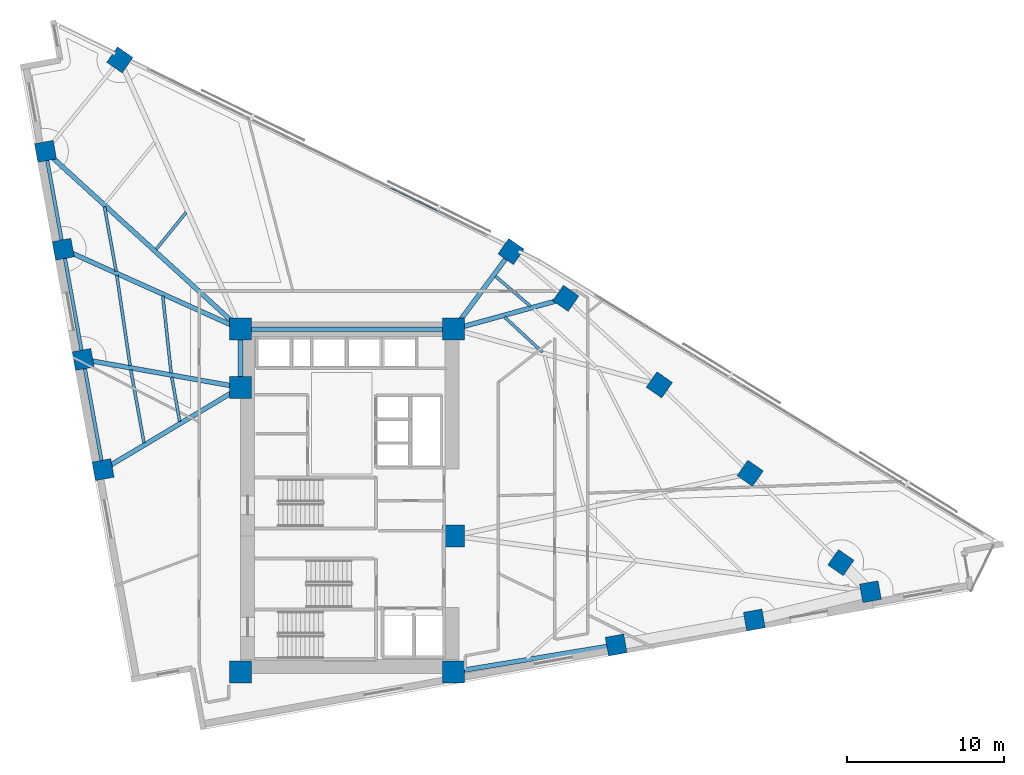
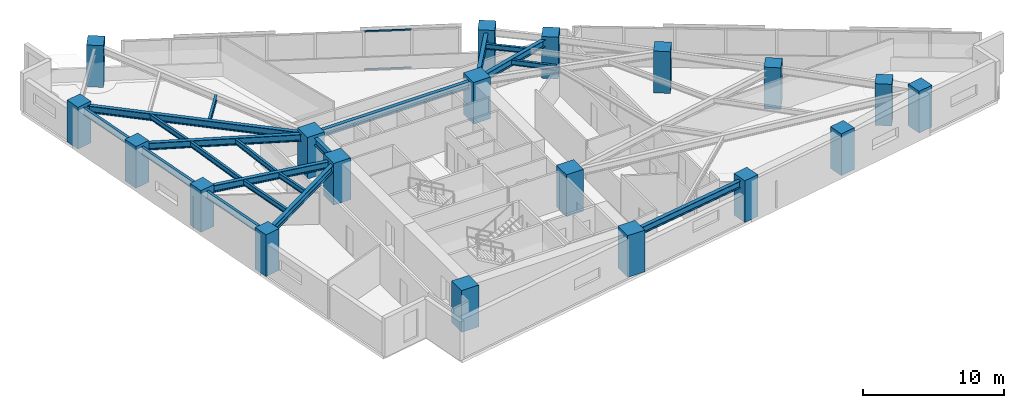
# One storey, part 1 of 19: 20 beams, 19 columns, 2 members, 1 element without a shape of its own.
"""IFC4 building model written with IfcOpenShell, lengths in metres."""

from ifc_helpers import new_model, si_unit, direction, frame, origin, origin_2d, place, context, subcontext, project, spatial, rectangle, hollow_rectangle, i_section, extrude, material, material_profile, profile_set, type_object, element, aggregate, save


model = new_model("IFC4")

# Units and contexts
model_context = context("Model", 3, precision=1e-05, world=origin(), true_north=direction((0.0, 1.0)))
body_context = subcontext(model_context, "Body", "Model", "MODEL_VIEW")
ifc_project = project(units=[si_unit("LENGTHUNIT", "METRE"), si_unit("AREAUNIT", "SQUARE_METRE"), si_unit("VOLUMEUNIT", "CUBIC_METRE"), si_unit("PLANEANGLEUNIT", "RADIAN"), si_unit("MASSUNIT", "GRAM", prefix="KILO")], contexts=[model_context])

# Site, building, storey
site_placement = place(None, origin())
site = spatial("IfcSite", under=ifc_project, at=site_placement, CompositionType="ELEMENT")
building_placement = place(site_placement, origin())
building = spatial("IfcBuilding", under=site, at=building_placement, Name="Narakoshi Arena Tower", CompositionType="ELEMENT")
storey_placement = place(building_placement, frame((0.0, 0.0, 113.699951171875)))
storey = spatial("IfcBuildingStorey", under=building, at=storey_placement, Name="L30", CompositionType="ELEMENT", Elevation=113.699951171875)

# Columns
ifc_material_1 = material(Name="Concrete C60/75", Category="concrete")
ifc_material_profile_1 = material_profile(ifc_material_1, rectangle(XDim=1.199951171875, YDim=1.199951171875, at=origin_2d()), Name="RC1200x1200")
ifc_profile_set_1 = profile_set([ifc_material_profile_1], Name="Concrete C60/75")
column_type_1 = type_object("IfcColumnType", Name="COL-RC1200", PredefinedType="COLUMN", material=ifc_profile_set_1)
for number, where, z_axis, x_axis, name in (
    (1, (95.89013671875, 36.411865234375, 0.0), (0.0, 0.0, 1.0), (0.984040697646, 0.177943545474, 0.0), "L30 Tower Perimeter Column TC02"),
    (2, (104.681396484375, 38.00146484375, 0.0), (0.0, 0.0, 1.0), (0.984040697646, 0.177943545474, 0.0), "L30 Tower Perimeter Column TC03"),
    (3, (112.0703125, 39.7978515625, 0.0), (0.0, 0.0, 1.0), (0.984040697646, 0.177943545474, 0.0), "L30 Tower Perimeter Column TC04"),
    (4, (110.189208984375, 41.650146484375, 0.0), (0.0, 0.0, 1.0), (0.569996762596, 0.821646937942, 0.0), "L30 Tower Perimeter Column TC05"),
    (5, (104.42041015625, 47.33056640625, 0.0), (0.0, 0.0, 1.0), (0.569996762596, 0.821646937942, 0.0), "L30 Tower Perimeter Column TC06"),
    (6, (98.641357421875, 52.95849609375, 0.0), (0.0, 0.0, 1.0), (0.569996762596, 0.821646937942, 0.0), "L30 Tower Perimeter Column TC07"),
    (7, (92.68994140625, 58.462890625, 0.0), (0.0, 0.0, 1.0), (0.569996762596, 0.821646937942, 0.0), "L30 Tower Perimeter Column TC08"),
    (8, (89.206787109375, 61.437744140625, 0.0), (0.0, 0.0, 1.0), (0.569996762596, 0.821646937942, 0.0), "L30 Tower Perimeter Column TC09"),
    (9, (64.31787109375, 73.633056640625, 0.0), (0.0, 0.0, 1.0), (0.569996762596, 0.821646937942, 0.0), "L30 Tower Perimeter Column TC11"),
    (10, (59.593505859375, 67.81591796875, 0.0), (0.0, 0.0, 1.0), (-0.177943545474, 0.984040697646, 0.0), "L30 Tower Perimeter Column TC13"),
    (11, (60.72021484375, 61.585205078125, 0.0), (0.0, 0.0, 1.0), (-0.177943545474, 0.984040697646, 0.0), "L30 Tower Perimeter Column TC14"),
    (12, (61.98779296875, 54.575439453125, 0.0), (0.0, 0.0, 1.0), (-0.177943545474, 0.984040697646, 0.0), "L30 Tower Perimeter Column TC15"),
    (13, (63.25537109375, 47.56591796875, 0.0), (0.0, 0.0, 1.0), (-0.177943545474, 0.984040697646, 0.0), "L30 Tower Perimeter Column TC16"),
):
    element("IfcColumn", number, at=place(storey_placement, frame(where, z_axis=z_axis, x_axis=x_axis)), inside=storey, type_object=column_type_1, Name=name, PredefinedType="COLUMN", context=body_context, shape_type="SweptSolid", body=[
        extrude(rectangle(XDim=1.199951171875, YDim=1.199951171875, at=origin_2d()), origin(), (0.0, 0.0, 1.0), 3.60009765625),
    ])
ifc_material_profile_2 = material_profile(ifc_material_1, rectangle(XDim=1.39990234375, YDim=1.39990234375, at=origin_2d()), Name="RC1400x1400")
ifc_profile_set_2 = profile_set([ifc_material_profile_2], Name="Concrete C60/75")
column_type_2 = type_object("IfcColumnType", Name="COL-RC1400", PredefinedType="COLUMN", material=ifc_profile_set_2)
for number, where, z_axis, x_axis, name in (
    (14, (72.0, 34.699951171875, 0.0), (0.0, 0.0, 1.0), (1.0, 0.0, 0.0), "L30 Core Structural Column CC1"),
    (15, (85.550048828125, 34.699951171875, 0.0), (0.0, 0.0, 1.0), (1.0, 0.0, 0.0), "L30 Core Structural Column CC2"),
    (16, (85.550048828125, 43.35009765625, 0.0), (0.0, 0.0, 1.0), (1.0, 0.0, 0.0), "L30 Core Structural Column CC3"),
    (17, (72.0, 52.800048828125, 0.0), (0.0, 0.0, 1.0), (1.0, 0.0, 0.0), "L30 Core Structural Column CC4"),
    (18, (72.0, 56.5, 0.0), (0.0, 0.0, 1.0), (1.0, 0.0, 0.0), "L30 Core Structural Column CC5"),
    (19, (85.550048828125, 56.5, 0.0), (0.0, 0.0, 1.0), (1.0, 0.0, 0.0), "L30 Core Structural Column CC6"),
):
    element("IfcColumn", number, at=place(storey_placement, frame(where, z_axis=z_axis, x_axis=x_axis)), inside=storey, type_object=column_type_2, Name=name, PredefinedType="COLUMN", context=body_context, shape_type="SweptSolid", body=[
        extrude(rectangle(XDim=1.39990234375, YDim=1.39990234375, at=origin_2d()), origin(), (0.0, 0.0, 1.0), 3.60009765625),
    ])

# Beams
ifc_material_2 = material(Name="Structural steel S355J2", Category="steel")
ifc_material_profile_3 = material_profile(ifc_material_2, i_section(OverallWidth=0.219970703125, OverallDepth=0.60009765625, WebThickness=0.011962890625, FlangeThickness=0.01904296875, FilletRadius=0.02392578125, at=origin_2d()), Name="IPE600")
ifc_profile_set_3 = profile_set([ifc_material_profile_3], Name="Structural steel S355J2")
beam_type_1 = type_object("IfcBeamType", Name="BM-EDGE-600", PredefinedType="BEAM", material=ifc_profile_set_3)
beam_1_placement = place(storey_placement, frame((59.593505859375, 67.81591796875, 3.0400390625), z_axis=(0.177945465207, -0.9840403505, 0.0), x_axis=(0.9840403505, 0.177945465207, 0.0)))
element("IfcBeam", 20, at=beam_1_placement, inside=storey, type_object=beam_type_1, Name="L30 Perimeter Edge Girder 10", PredefinedType="BEAM", context=body_context, shape_type="SweptSolid", body=[
    extrude(i_section(OverallWidth=0.219970703125, OverallDepth=0.60009765625, WebThickness=0.011962890625, FlangeThickness=0.01904296875, FilletRadius=0.02392578125, at=origin_2d()), origin(), (0.0, 0.0, 1.0), 6.331787109375),
])
beam_2_placement = place(storey_placement, frame((60.72021484375, 61.585205078125, 3.0400390625), z_axis=(0.177944362466, -0.98404054991, 0.0), x_axis=(0.98404054991, 0.177944362466, 0.0)))
element("IfcBeam", 21, at=beam_2_placement, inside=storey, type_object=beam_type_1, Name="L30 Perimeter Edge Girder 11", PredefinedType="BEAM", context=body_context, shape_type="SweptSolid", body=[
    extrude(i_section(OverallWidth=0.219970703125, OverallDepth=0.60009765625, WebThickness=0.011962890625, FlangeThickness=0.01904296875, FilletRadius=0.02392578125, at=origin_2d()), origin(), (0.0, 0.0, 1.0), 7.12353515625),
])
beam_3_placement = place(storey_placement, frame((61.98779296875, 54.575439453125, 3.0400390625), z_axis=(0.177950363985, -0.984039464634, 0.0), x_axis=(0.984039464634, 0.177950363985, 0.0)))
element("IfcBeam", 22, at=beam_3_placement, inside=storey, type_object=beam_type_1, Name="L30 Perimeter Edge Girder 12", PredefinedType="BEAM", context=body_context, shape_type="SweptSolid", body=[
    extrude(i_section(OverallWidth=0.219970703125, OverallDepth=0.60009765625, WebThickness=0.011962890625, FlangeThickness=0.01904296875, FilletRadius=0.02392578125, at=origin_2d()), origin(), (0.0, 0.0, 1.0), 7.123291015625),
])
ifc_material_profile_4 = material_profile(ifc_material_2, i_section(OverallWidth=0.300048828125, OverallDepth=0.60009765625, WebThickness=0.015380859375, FlangeThickness=0.030029296875, FilletRadius=0.027099609375, at=origin_2d()), Name="HE600B")
ifc_profile_set_4 = profile_set([ifc_material_profile_4], Name="Structural steel S355J2")
beam_type_2 = type_object("IfcBeamType", Name="BM-PRI-600", PredefinedType="BEAM", material=ifc_profile_set_4)
beam_4_placement = place(storey_placement, frame((85.550048828125, 34.699951171875, 3.0400390625), z_axis=(0.986570261116, 0.163337441762, 0.0), x_axis=(-0.163337441762, 0.986570261116, 0.0)))
element("IfcBeam", 23, at=beam_4_placement, inside=storey, type_object=beam_type_2, Name="L30 Radial Primary Floor Girder 01", PredefinedType="BEAM", context=body_context, shape_type="SweptSolid", body=[
    extrude(i_section(OverallWidth=0.300048828125, OverallDepth=0.60009765625, WebThickness=0.015380859375, FlangeThickness=0.030029296875, FilletRadius=0.027099609375, at=origin_2d()), origin(), (0.0, 0.0, 1.0), 10.48095703125),
])
beam_5_placement = place(storey_placement, frame((85.550048828125, 56.5, 3.0400390625), z_axis=(0.964225409977, 0.265083682551, 0.0), x_axis=(-0.265083682551, 0.964225409977, 0.0)))
element("IfcBeam", 24, at=beam_5_placement, inside=storey, type_object=beam_type_2, Name="L30 Radial Primary Floor Girder 07", PredefinedType="BEAM", context=body_context, shape_type="SweptSolid", body=[
    extrude(i_section(OverallWidth=0.300048828125, OverallDepth=0.60009765625, WebThickness=0.015380859375, FlangeThickness=0.030029296875, FilletRadius=0.027099609375, at=origin_2d()), origin(), (0.0, 0.0, 1.0), 7.40478515625),
])
beam_6_placement = place(storey_placement, frame((85.550048828125, 56.5, 3.0400390625), z_axis=(0.595138224279, 0.803623353321, 0.0), x_axis=(-0.803623353321, 0.595138224279, 0.0)))
element("IfcBeam", 25, at=beam_6_placement, inside=storey, type_object=beam_type_2, Name="L30 Radial Primary Floor Girder 08", PredefinedType="BEAM", context=body_context, shape_type="SweptSolid", body=[
    extrude(i_section(OverallWidth=0.300048828125, OverallDepth=0.60009765625, WebThickness=0.015380859375, FlangeThickness=0.030029296875, FilletRadius=0.027099609375, at=origin_2d()), origin(), (0.0, 0.0, 1.0), 6.144287109375),
])
beam_7_placement = place(storey_placement, frame((72.0, 56.5, 3.0400390625), z_axis=(-0.738833839277, 0.673887644893, 0.0), x_axis=(-0.673887644893, -0.738833839277, 0.0)))
element("IfcBeam", 26, at=beam_7_placement, inside=storey, type_object=beam_type_2, Name="L30 Radial Primary Floor Girder 10", PredefinedType="BEAM", context=body_context, shape_type="SweptSolid", body=[
    extrude(i_section(OverallWidth=0.300048828125, OverallDepth=0.60009765625, WebThickness=0.015380859375, FlangeThickness=0.030029296875, FilletRadius=0.027099609375, at=origin_2d()), origin(), (0.0, 0.0, 1.0), 16.7919921875),
])
beam_8_placement = place(storey_placement, frame((72.0, 56.5, 3.0400390625), z_axis=(-0.911639961566, 0.410989757142, 0.0), x_axis=(-0.410989757142, -0.911639961566, 0.0)))
element("IfcBeam", 27, at=beam_8_placement, inside=storey, type_object=beam_type_2, Name="L30 Radial Primary Floor Girder 11", PredefinedType="BEAM", context=body_context, shape_type="SweptSolid", body=[
    extrude(i_section(OverallWidth=0.300048828125, OverallDepth=0.60009765625, WebThickness=0.015380859375, FlangeThickness=0.030029296875, FilletRadius=0.027099609375, at=origin_2d()), origin(), (0.0, 0.0, 1.0), 12.373046875),
])
beam_9_placement = place(storey_placement, frame((72.0, 52.800048828125, 3.0400390625), z_axis=(-0.984639647685, 0.174598866568, 0.0), x_axis=(-0.174598866568, -0.984639647685, 0.0)))
element("IfcBeam", 28, at=beam_9_placement, inside=storey, type_object=beam_type_2, Name="L30 Radial Primary Floor Girder 12", PredefinedType="BEAM", context=body_context, shape_type="SweptSolid", body=[
    extrude(i_section(OverallWidth=0.300048828125, OverallDepth=0.60009765625, WebThickness=0.015380859375, FlangeThickness=0.030029296875, FilletRadius=0.027099609375, at=origin_2d()), origin(), (0.0, 0.0, 1.0), 10.16845703125),
])
beam_10_placement = place(storey_placement, frame((72.0, 52.800048828125, 3.0400390625), z_axis=(-0.858039895053, -0.513583039534, 0.0), x_axis=(0.513583039534, -0.858039895053, 0.0)))
element("IfcBeam", 29, at=beam_10_placement, inside=storey, type_object=beam_type_2, Name="L30 Radial Primary Floor Girder 13", PredefinedType="BEAM", context=body_context, shape_type="SweptSolid", body=[
    extrude(i_section(OverallWidth=0.300048828125, OverallDepth=0.60009765625, WebThickness=0.015380859375, FlangeThickness=0.030029296875, FilletRadius=0.027099609375, at=origin_2d()), origin(), (0.0, 0.0, 1.0), 10.19140625),
])
beam_11_placement = place(storey_placement, frame((72.0, 52.800048828125, 3.0400390625), z_axis=(0.0, 1.0, 0.0), x_axis=(-1.0, 0.0, 0.0)))
element("IfcBeam", 30, at=beam_11_placement, inside=storey, type_object=beam_type_2, Name="L30 Core Perimeter Frame Beam CC4-CC5", PredefinedType="BEAM", context=body_context, shape_type="SweptSolid", body=[
    extrude(i_section(OverallWidth=0.300048828125, OverallDepth=0.60009765625, WebThickness=0.015380859375, FlangeThickness=0.030029296875, FilletRadius=0.027099609375, at=origin_2d()), origin(), (0.0, 0.0, 1.0), 3.699951171875),
])
beam_12_placement = place(storey_placement, frame((72.0, 56.5, 3.0400390625), z_axis=(1.0, 0.0, 0.0), x_axis=(0.0, 1.0, 0.0)))
element("IfcBeam", 31, at=beam_12_placement, inside=storey, type_object=beam_type_2, Name="L30 Core Perimeter Frame Beam CC5-CC6", PredefinedType="BEAM", context=body_context, shape_type="SweptSolid", body=[
    extrude(i_section(OverallWidth=0.300048828125, OverallDepth=0.60009765625, WebThickness=0.015380859375, FlangeThickness=0.030029296875, FilletRadius=0.027099609375, at=origin_2d()), origin(), (0.0, 0.0, 1.0), 13.550048828125),
])
ifc_material_profile_5 = material_profile(ifc_material_2, i_section(OverallWidth=0.18994140625, OverallDepth=0.449951171875, WebThickness=0.009521484375, FlangeThickness=0.0146484375, FilletRadius=0.02099609375, at=origin_2d()), Name="IPE450")
ifc_profile_set_5 = profile_set([ifc_material_profile_5], Name="Structural steel S355J2")
beam_type_3 = type_object("IfcBeamType", Name="BM-SEC-450", PredefinedType="JOIST", material=ifc_profile_set_5)
beam_13_placement = place(storey_placement, frame((91.211181640625, 55.033447265625, 3.114990234375), z_axis=(-0.734152962366, 0.678984114578, 0.0), x_axis=(-0.678984114578, -0.734152962366, 0.0)))
element("IfcBeam", 32, at=beam_13_placement, inside=storey, type_object=beam_type_3, Name="L30 Composite Secondary Floor Joist 06", PredefinedType="JOIST", context=body_context, shape_type="SweptSolid", body=[
    extrude(i_section(OverallWidth=0.18994140625, OverallDepth=0.449951171875, WebThickness=0.009521484375, FlangeThickness=0.0146484375, FilletRadius=0.02099609375, at=origin_2d()), origin(), (0.0, 0.0, 1.0), 3.296875),
])
beam_14_placement = place(storey_placement, frame((90.4453125, 57.961669921875, 3.114990234375), z_axis=(-0.760382231872, 0.649475835927, 0.0), x_axis=(-0.649475835927, -0.760382231872, 0.0)))
element("IfcBeam", 33, at=beam_14_placement, inside=storey, type_object=beam_type_3, Name="L30 Composite Secondary Floor Joist 08", PredefinedType="JOIST", context=body_context, shape_type="SweptSolid", body=[
    extrude(i_section(OverallWidth=0.18994140625, OverallDepth=0.449951171875, WebThickness=0.009521484375, FlangeThickness=0.0146484375, FilletRadius=0.02099609375, at=origin_2d()), origin(), (0.0, 0.0, 1.0), 2.9365234375),
])
beam_15_placement = place(storey_placement, frame((68.53466796875, 63.93359375, 3.114990234375), z_axis=(-0.630431693458, -0.776244729376, 0.0), x_axis=(0.776244729376, -0.630431693458, 0.0)))
element("IfcBeam", 34, at=beam_15_placement, inside=storey, type_object=beam_type_3, Name="L30 Composite Secondary Floor Joist 09", PredefinedType="JOIST", context=body_context, shape_type="SweptSolid", body=[
    extrude(i_section(OverallWidth=0.18994140625, OverallDepth=0.449951171875, WebThickness=0.009521484375, FlangeThickness=0.0146484375, FilletRadius=0.02099609375, at=origin_2d()), origin(), (0.0, 0.0, 1.0), 3.027099609375),
])
beam_16_placement = place(storey_placement, frame((63.339599609375, 64.288330078125, 3.114990234375), z_axis=(0.177899481436, -0.984048664704, 0.0), x_axis=(0.984048664704, 0.177899481436, 0.0)))
element("IfcBeam", 35, at=beam_16_placement, inside=storey, type_object=beam_type_3, Name="L30 Composite Secondary Floor Joist 11", PredefinedType="JOIST", context=body_context, shape_type="SweptSolid", body=[
    extrude(i_section(OverallWidth=0.18994140625, OverallDepth=0.449951171875, WebThickness=0.009521484375, FlangeThickness=0.0146484375, FilletRadius=0.02099609375, at=origin_2d()), origin(), (0.0, 0.0, 1.0), 4.162353515625),
])
beam_17_placement = place(storey_placement, frame((67.051513671875, 58.603271484375, 3.114990234375), z_axis=(0.107509701648, -0.994204035423, 0.0), x_axis=(0.994204035423, 0.107509701648, 0.0)))
element("IfcBeam", 36, at=beam_17_placement, inside=storey, type_object=beam_type_3, Name="L30 Composite Secondary Floor Joist 12", PredefinedType="JOIST", context=body_context, shape_type="SweptSolid", body=[
    extrude(i_section(OverallWidth=0.18994140625, OverallDepth=0.449951171875, WebThickness=0.009521484375, FlangeThickness=0.0146484375, FilletRadius=0.02099609375, at=origin_2d()), origin(), (0.0, 0.0, 1.0), 4.91650390625),
])
beam_18_placement = place(storey_placement, frame((64.123779296875, 59.926025390625, 3.114990234375), z_axis=(0.145895495759, -0.989300007236, 0.0), x_axis=(0.989300007236, 0.145895495759, 0.0)))
element("IfcBeam", 37, at=beam_18_placement, inside=storey, type_object=beam_type_3, Name="L30 Composite Secondary Floor Joist 13", PredefinedType="JOIST", context=body_context, shape_type="SweptSolid", body=[
    extrude(i_section(OverallWidth=0.18994140625, OverallDepth=0.449951171875, WebThickness=0.009521484375, FlangeThickness=0.0146484375, FilletRadius=0.02099609375, at=origin_2d()), origin(), (0.0, 0.0, 1.0), 5.811767578125),
])
beam_19_placement = place(storey_placement, frame((67.61865234375, 53.448486328125, 3.114990234375), z_axis=(0.177970279924, -0.984035862895, 0.0), x_axis=(0.984035862895, 0.177970279924, 0.0)))
element("IfcBeam", 38, at=beam_19_placement, inside=storey, type_object=beam_type_3, Name="L30 Composite Secondary Floor Joist 14", PredefinedType="JOIST", context=body_context, shape_type="SweptSolid", body=[
    extrude(i_section(OverallWidth=0.18994140625, OverallDepth=0.449951171875, WebThickness=0.009521484375, FlangeThickness=0.0146484375, FilletRadius=0.02099609375, at=origin_2d()), origin(), (0.0, 0.0, 1.0), 2.8642578125),
])
beam_20_placement = place(storey_placement, frame((65.015380859375, 53.909912109375, 3.114990234375), z_axis=(0.177965200164, -0.984036781594, 0.0), x_axis=(0.984036781594, 0.177965200164, 0.0)))
element("IfcBeam", 39, at=beam_20_placement, inside=storey, type_object=beam_type_3, Name="L30 Composite Secondary Floor Joist 15", PredefinedType="JOIST", context=body_context, shape_type="SweptSolid", body=[
    extrude(i_section(OverallWidth=0.18994140625, OverallDepth=0.449951171875, WebThickness=0.009521484375, FlangeThickness=0.0146484375, FilletRadius=0.02099609375, at=origin_2d()), origin(), (0.0, 0.0, 1.0), 4.71630859375),
])

# Curtain wall, members
ifc_material_3 = material(Name="Anodised bronze aluminium 6063-T6", Category="aluminium")
curtain_wall_type = type_object("IfcCurtainWallType", Name="CW-HYP-LOW", PredefinedType="NOTDEFINED", material=ifc_material_3)
curtain_wall_placement = place(storey_placement, origin())
curtain_wall = element("IfcCurtainWall", 40, at=curtain_wall_placement, inside=storey, type_object=curtain_wall_type, Name="L30 Folded Hypotenuse Curtain Wall 2-1", PredefinedType="NOTDEFINED")
ifc_material_profile_6 = material_profile(ifc_material_3, hollow_rectangle(XDim=0.06494140625, YDim=0.1298828125, WallThickness=0.00390625, OuterFilletRadius=0.0048828125, at=origin_2d()), Name="TRN130x65x4")
ifc_profile_set_6 = profile_set([ifc_material_profile_6], Name="Anodised bronze aluminium 6063-T6")
member_type = type_object("IfcMemberType", Name="MEM-TRN-130", PredefinedType="USERDEFINED", material=ifc_profile_set_6)
member_1_placement = place(storey_placement, frame((84.525634765625, 64.02099609375, 0.032470703125), z_axis=(-0.897986843255, 0.440022305503, 0.0), x_axis=(-0.440022305503, -0.897986843255, 0.0)))
member_1 = element("IfcMember", 41, at=member_1_placement, type_object=member_type, Name="CW-01 transom 2.1", ObjectType="TRANSOM", PredefinedType="USERDEFINED", context=body_context, shape_type="SweptSolid", body=[
    extrude(hollow_rectangle(XDim=0.06494140625, YDim=0.1298828125, WallThickness=0.00390625, OuterFilletRadius=0.0048828125, at=origin_2d()), origin(), (0.0, 0.0, 1.0), 3.347412109375),
])
member_2_placement = place(storey_placement, frame((84.525634765625, 64.02099609375, 3.3076171875), z_axis=(-0.897986843255, 0.440022305503, 0.0), x_axis=(-0.440022305503, -0.897986843255, 0.0)))
member_2 = element("IfcMember", 42, at=member_2_placement, type_object=member_type, Name="CW-01 transom 2.2", ObjectType="TRANSOM", PredefinedType="USERDEFINED", context=body_context, shape_type="SweptSolid", body=[
    extrude(hollow_rectangle(XDim=0.06494140625, YDim=0.1298828125, WallThickness=0.00390625, OuterFilletRadius=0.0048828125, at=origin_2d()), origin(), (0.0, 0.0, 1.0), 3.347412109375),
])
aggregate(curtain_wall, [member_1, member_2])

save(model, "model.ifc")
